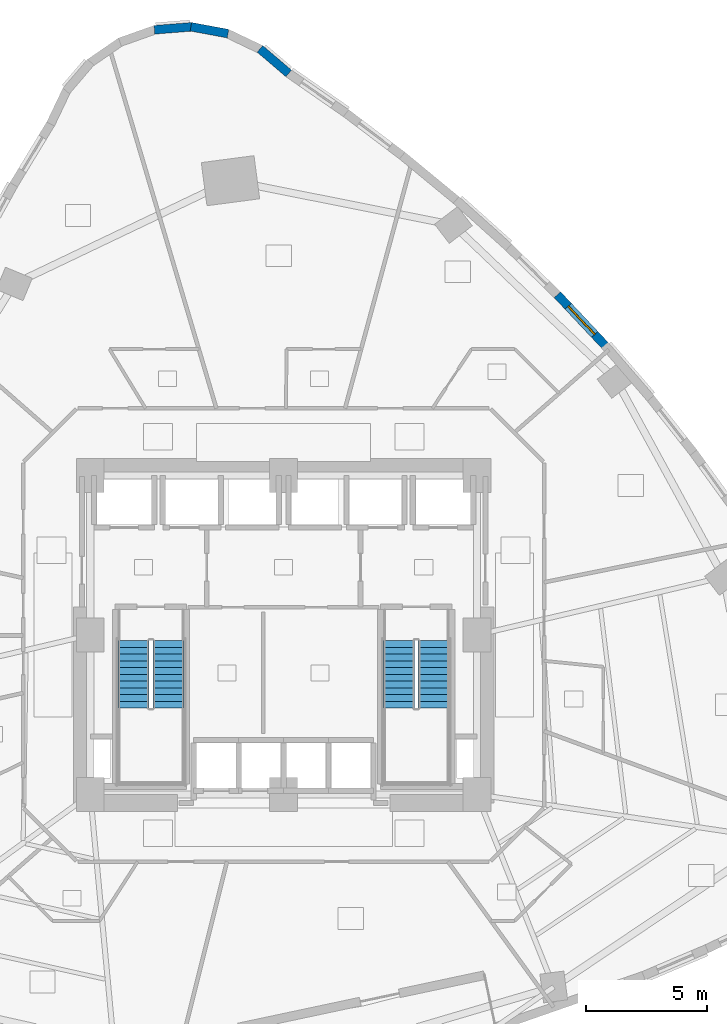
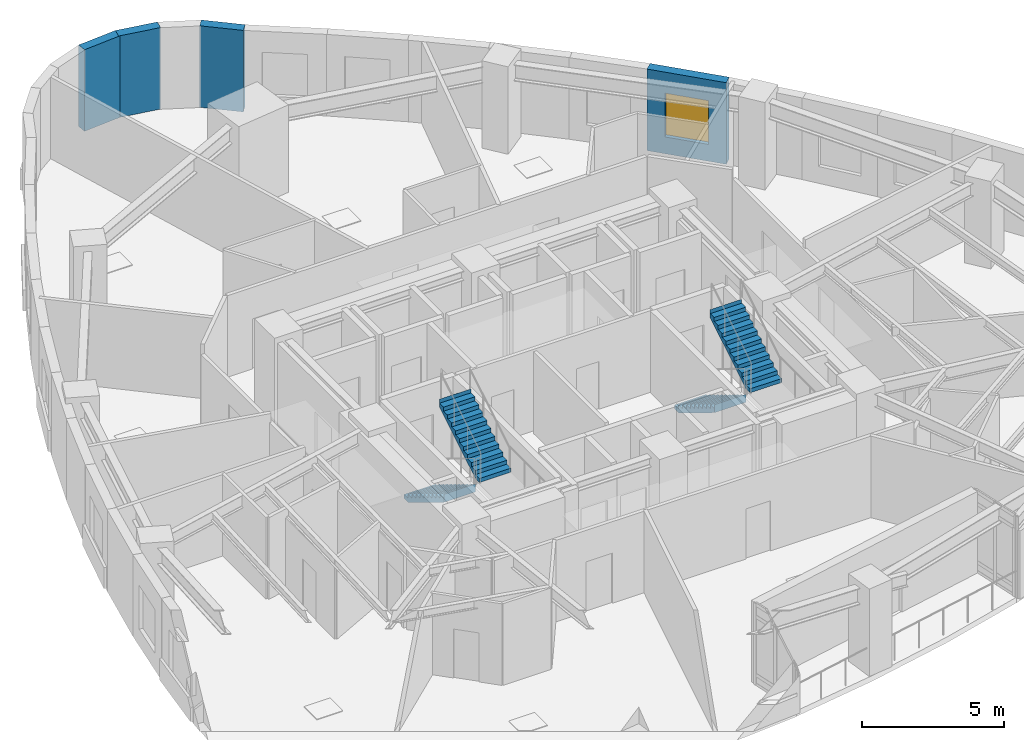
# One storey, part 9 of 12: 4 stair flights, 4 walls, 1 window, 1 opening, 2 elements without a shape of their own.
"""IFC4 building model written with IfcOpenShell, lengths in metres."""

from ifc_helpers import new_model, si_unit, direction, frame, frame_2d, origin, place, context, subcontext, project, spatial, polyline, rectangle, outline, extrude, material, layer, layer_set, type_object, element, fill, aggregate, save


model = new_model("IFC4")

# Units and contexts
model_context = context("Model", 3, precision=1e-05, world=origin(), true_north=direction((0.0, 1.0)))
body_context = subcontext(model_context, "Body", "Model", "MODEL_VIEW")
ifc_project = project(units=[si_unit("LENGTHUNIT", "METRE"), si_unit("AREAUNIT", "SQUARE_METRE"), si_unit("VOLUMEUNIT", "CUBIC_METRE"), si_unit("PLANEANGLEUNIT", "RADIAN"), si_unit("MASSUNIT", "GRAM", prefix="KILO")], contexts=[model_context])

# Site, building, storey
site_placement = place(None, origin())
site = spatial("IfcSite", under=ifc_project, at=site_placement, CompositionType="ELEMENT")
building_placement = place(site_placement, origin())
building = spatial("IfcBuilding", under=site, at=building_placement, Name="Ndelora Gate Hotel", CompositionType="ELEMENT")
storey_placement = place(building_placement, frame((0.0, 0.0, 75.5)))
storey = spatial("IfcBuildingStorey", under=building, at=storey_placement, Name="L18", CompositionType="ELEMENT", Elevation=75.5)

# Walls
ifc_material_1 = material(Name="Clay Brick Masonry", Category="masonry")
ifc_layer = layer(ifc_material_1, 0.360107421875)
ifc_layer_set = layer_set([ifc_layer], Name="Clay Brick Masonry")
wall_type = type_object("IfcWallType", Name="WL-BRICK-360", PredefinedType="SOLIDWALL", material=ifc_layer_set)
wall_1_placement = place(storey_placement, frame((-0.978515625, 24.255615234375, 0.0), z_axis=(0.0, 0.0, 1.0), x_axis=(0.760412216577, -0.649440729305, 0.0)))
element("IfcWall", 1, at=wall_1_placement, inside=storey, type_object=wall_type, Name="L18 Tower Brick Pier-and-Spandrel Wall TWR-1", PredefinedType="SOLIDWALL", context=body_context, shape_type="SweptSolid", body=[
    extrude(rectangle(XDim=1.564208984375, YDim=0.360107421875, at=frame_2d((0.7822265625, 0.0))), origin(), (0.0, 0.0, 1.0), 3.5),
])
wall_2_placement = place(storey_placement, frame((-3.83935546875, 25.171630859375, 0.0), z_axis=(0.0, 0.0, 1.0), x_axis=(0.983239538779, -0.182318428527, 0.0)))
element("IfcWall", 2, at=wall_2_placement, inside=storey, type_object=wall_type, Name="L18 Tower Brick Pier-and-Spandrel Wall TWR-3", PredefinedType="SOLIDWALL", context=body_context, shape_type="SweptSolid", body=[
    extrude(rectangle(XDim=1.56396484375, YDim=0.360107421875, at=frame_2d((0.781982421875, 0.0))), origin(), (0.0, 0.0, 1.0), 3.5),
])
wall_3_placement = place(storey_placement, frame((-5.34912109375, 25.04638671875, 0.0), z_axis=(0.0, 0.0, 1.0), x_axis=(0.99691327675, 0.078510627557, 0.0)))
element("IfcWall", 3, at=wall_3_placement, inside=storey, type_object=wall_type, Name="L18 Tower Brick Pier-and-Spandrel Wall TWR-4", PredefinedType="SOLIDWALL", context=body_context, shape_type="SweptSolid", body=[
    extrude(rectangle(XDim=1.564208984375, YDim=0.360107421875, at=frame_2d((0.7822265625, 0.0))), origin(), (0.0, 0.0, 1.0), 3.5),
])

# Wall, opening, window
wall_4_placement = place(storey_placement, frame((11.32958984375, 14.08203125, 0.0), z_axis=(0.0, 0.0, 1.0), x_axis=(0.684867242206, -0.728667867106, 0.0)))
wall_4 = element("IfcWall", 4, at=wall_4_placement, inside=storey, type_object=wall_type, Name="L18 Tower Brick Pier-and-Spandrel Wall TWR-53", PredefinedType="SOLIDWALL", context=body_context, shape_type="SweptSolid", body=[
    extrude(rectangle(XDim=2.90966796875, YDim=0.360107421875, at=frame_2d((1.454833984375, 0.0))), origin(), (0.0, 0.0, 1.0), 3.5),
])
opening_placement = place(wall_4_placement, frame((0.65478515625, 0.0, 0.719970703125)))
opening = element("IfcOpeningElement", 5, at=opening_placement, cuts=wall_4, Name="Opening W03", PredefinedType="OPENING", context=body_context, shape_type="SweptSolid", body=[
    extrude(rectangle(XDim=1.60009765625, YDim=1.8798828125, at=frame_2d((0.800048828125, 0.93994140625))), frame((0.0, 0.18994140625, 0.0), z_axis=(0.0, -1.0, 0.0), x_axis=(1.0, 0.0, 0.0)), (0.0, 0.0, 1.0), 0.380126953125),
])
ifc_material_2 = material(Name="Insulated Low-E Double Glazing in Bronze Aluminium Frame", Category="aluminium")
window_type = type_object("IfcWindowType", Name="WN-CORN-2100", PartitioningType="SINGLE_PANEL", PredefinedType="WINDOW", material=ifc_material_2)
window_placement = place(opening_placement, origin())
window = element("IfcWindow", 6, at=window_placement, inside=storey, type_object=window_type, Name="L18 Deep-Set Brick-Pier Window W03", OverallHeight=1.8798828125, OverallWidth=1.60009765625, PartitioningType="SINGLE_PANEL", PredefinedType="WINDOW", context=body_context, shape_type="SweptSolid", body=[
    extrude(rectangle(XDim=1.60009765625, YDim=1.8798828125, at=frame_2d((0.800048828125, 0.93994140625))), frame((0.0, 0.030029296875, 0.0), z_axis=(0.0, -1.0, 0.0), x_axis=(1.0, 0.0, 0.0)), (0.0, 0.0, 1.0), 0.06005859375),
])
fill(opening, window)

# Stair, stair flights
ifc_material_3 = material(Name="Precast concrete C40/50", Category="concrete")
stair_type = type_object("IfcStairType", Name="STR-DOG-CORE", PredefinedType="HALF_TURN_STAIR", material=ifc_material_3)
stair_1_placement = place(storey_placement, origin())
stair_1 = element("IfcStair", 7, at=stair_1_placement, inside=storey, type_object=stair_type, Name="L18 Protected Core Exit Stair ST4", PredefinedType="HALF_TURN_STAIR")
stair_flight_type = type_object("IfcStairFlightType", Name="STF-PRECAST", PredefinedType="STRAIGHT", material=ifc_material_3)
stair_flight_1_placement = place(storey_placement, frame((-6.2099609375, -0.22998046875, 0.0), z_axis=(0.0, 0.0, 1.0), x_axis=(0.0, -1.0, 0.0)))
stair_flight_1 = element("IfcStairFlight", 8, at=stair_flight_1_placement, type_object=stair_flight_type, Name="ST4 flight 1", NumberOfRisers=11, NumberOfTreads=10, PredefinedType="STRAIGHT", RiserHeight=0.170454545, TreadLength=0.28, context=body_context, shape_type="SweptSolid", body=[
    extrude(outline(polyline([(-0.00048828125, 0.0), (-0.00048828125, 0.17041015625), (0.0, 0.17041015625), (0.280029296875, 0.17041015625), (0.280029296875, 0.3408203125), (0.56005859375, 0.3408203125), (0.56005859375, 0.511474609375), (0.840087890625, 0.511474609375), (0.840087890625, 0.681884765625), (1.1201171875, 0.681884765625), (1.1201171875, 0.852294921875), (1.39990234375, 0.852294921875), (1.39990234375, 1.022705078125), (1.679931640625, 1.022705078125), (1.679931640625, 1.193115234375), (1.9599609375, 1.193115234375), (1.9599609375, 1.363525390625), (2.239990234375, 1.363525390625), (2.239990234375, 1.5341796875), (2.52001953125, 1.5341796875), (2.52001953125, 1.70458984375), (2.800048828125, 1.70458984375), (2.800048828125, 1.875), (2.800537109375, 1.875), (2.800537109375, 1.695068359375), (2.800048828125, 1.529052734375), (0.288330078125, 0.0), (-0.00048828125, 0.0)])), frame((0.0, 0.64013671875, 0.0), z_axis=(0.0, -1.0, 0.0), x_axis=(1.0, 0.0, 0.0)), (0.0, 0.0, 1.0), 1.280029296875),
])
stair_flight_2_placement = place(storey_placement, frame((-4.77001953125, -3.030029296875, 1.875), z_axis=(0.0, 0.0, 1.0), x_axis=(0.0, 1.0, 0.0)))
stair_flight_2 = element("IfcStairFlight", 9, at=stair_flight_2_placement, type_object=stair_flight_type, Name="ST4 flight 2", NumberOfRisers=11, NumberOfTreads=10, PredefinedType="STRAIGHT", RiserHeight=0.170454545, TreadLength=0.28, context=body_context, shape_type="SweptSolid", body=[
    extrude(outline(polyline([(-0.00048828125, 0.0), (-0.00048828125, 0.17041015625), (0.0, 0.17041015625), (0.280029296875, 0.17041015625), (0.280029296875, 0.3408203125), (0.56005859375, 0.3408203125), (0.56005859375, 0.511474609375), (0.840087890625, 0.511474609375), (0.840087890625, 0.681884765625), (1.1201171875, 0.681884765625), (1.1201171875, 0.852294921875), (1.39990234375, 0.852294921875), (1.39990234375, 1.022705078125), (1.679931640625, 1.022705078125), (1.679931640625, 1.193115234375), (1.9599609375, 1.193115234375), (1.9599609375, 1.363525390625), (2.239990234375, 1.363525390625), (2.239990234375, 1.5341796875), (2.52001953125, 1.5341796875), (2.52001953125, 1.70458984375), (2.800048828125, 1.70458984375), (2.800048828125, 1.875), (2.800537109375, 1.875), (2.800537109375, 1.695068359375), (2.800048828125, 1.529052734375), (0.288330078125, 0.0), (-0.00048828125, 0.0)])), frame((0.0, 0.64013671875, 0.0), z_axis=(0.0, -1.0, 0.0), x_axis=(1.0, 0.0, 0.0)), (0.0, 0.0, 1.0), 1.280029296875),
])
aggregate(stair_1, [stair_flight_1, stair_flight_2])

stair_2_placement = place(storey_placement, origin())
stair_2 = element("IfcStair", 10, at=stair_2_placement, inside=storey, type_object=stair_type, Name="L18 Protected Core Exit Stair ST5", PredefinedType="HALF_TURN_STAIR")
stair_flight_3_placement = place(storey_placement, frame((4.77001953125, -0.22998046875, 0.0), z_axis=(0.0, 0.0, 1.0), x_axis=(0.0, -1.0, 0.0)))
stair_flight_3 = element("IfcStairFlight", 11, at=stair_flight_3_placement, type_object=stair_flight_type, Name="ST5 flight 1", NumberOfRisers=11, NumberOfTreads=10, PredefinedType="STRAIGHT", RiserHeight=0.170454545, TreadLength=0.28, context=body_context, shape_type="SweptSolid", body=[
    extrude(outline(polyline([(-0.00048828125, 0.0), (-0.00048828125, 0.17041015625), (0.0, 0.17041015625), (0.280029296875, 0.17041015625), (0.280029296875, 0.3408203125), (0.56005859375, 0.3408203125), (0.56005859375, 0.511474609375), (0.840087890625, 0.511474609375), (0.840087890625, 0.681884765625), (1.1201171875, 0.681884765625), (1.1201171875, 0.852294921875), (1.39990234375, 0.852294921875), (1.39990234375, 1.022705078125), (1.679931640625, 1.022705078125), (1.679931640625, 1.193115234375), (1.9599609375, 1.193115234375), (1.9599609375, 1.363525390625), (2.239990234375, 1.363525390625), (2.239990234375, 1.5341796875), (2.52001953125, 1.5341796875), (2.52001953125, 1.70458984375), (2.800048828125, 1.70458984375), (2.800048828125, 1.875), (2.800537109375, 1.875), (2.800537109375, 1.695068359375), (2.800048828125, 1.529052734375), (0.288330078125, 0.0), (-0.00048828125, 0.0)])), frame((0.0, 0.64013671875, 0.0), z_axis=(0.0, -1.0, 0.0), x_axis=(1.0, 0.0, 0.0)), (0.0, 0.0, 1.0), 1.280029296875),
])
stair_flight_4_placement = place(storey_placement, frame((6.2099609375, -3.030029296875, 1.875), z_axis=(0.0, 0.0, 1.0), x_axis=(0.0, 1.0, 0.0)))
stair_flight_4 = element("IfcStairFlight", 12, at=stair_flight_4_placement, type_object=stair_flight_type, Name="ST5 flight 2", NumberOfRisers=11, NumberOfTreads=10, PredefinedType="STRAIGHT", RiserHeight=0.170454545, TreadLength=0.28, context=body_context, shape_type="SweptSolid", body=[
    extrude(outline(polyline([(-0.00048828125, 0.0), (-0.00048828125, 0.17041015625), (0.0, 0.17041015625), (0.280029296875, 0.17041015625), (0.280029296875, 0.3408203125), (0.56005859375, 0.3408203125), (0.56005859375, 0.511474609375), (0.840087890625, 0.511474609375), (0.840087890625, 0.681884765625), (1.1201171875, 0.681884765625), (1.1201171875, 0.852294921875), (1.39990234375, 0.852294921875), (1.39990234375, 1.022705078125), (1.679931640625, 1.022705078125), (1.679931640625, 1.193115234375), (1.9599609375, 1.193115234375), (1.9599609375, 1.363525390625), (2.239990234375, 1.363525390625), (2.239990234375, 1.5341796875), (2.52001953125, 1.5341796875), (2.52001953125, 1.70458984375), (2.800048828125, 1.70458984375), (2.800048828125, 1.875), (2.800537109375, 1.875), (2.800537109375, 1.695068359375), (2.800048828125, 1.529052734375), (0.288330078125, 0.0), (-0.00048828125, 0.0)])), frame((0.0, 0.64013671875, 0.0), z_axis=(0.0, -1.0, 0.0), x_axis=(1.0, 0.0, 0.0)), (0.0, 0.0, 1.0), 1.280029296875),
])
aggregate(stair_2, [stair_flight_3, stair_flight_4])

save(model, "model.ifc")
